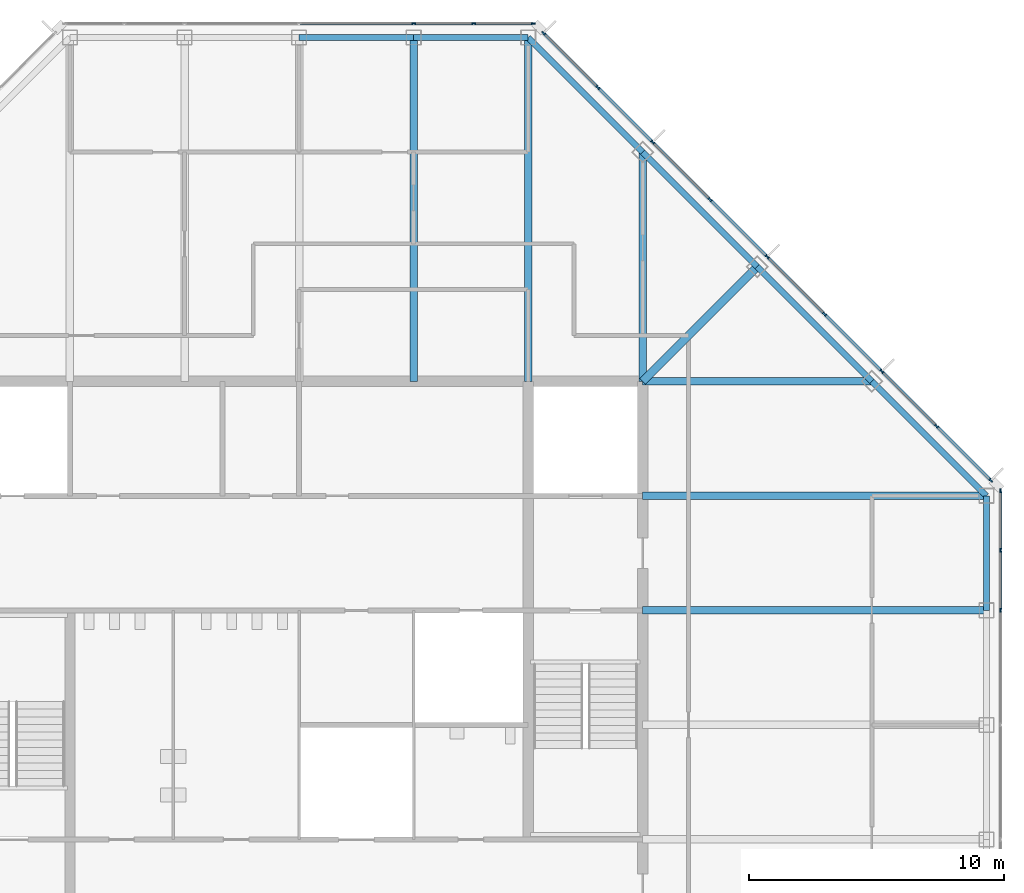
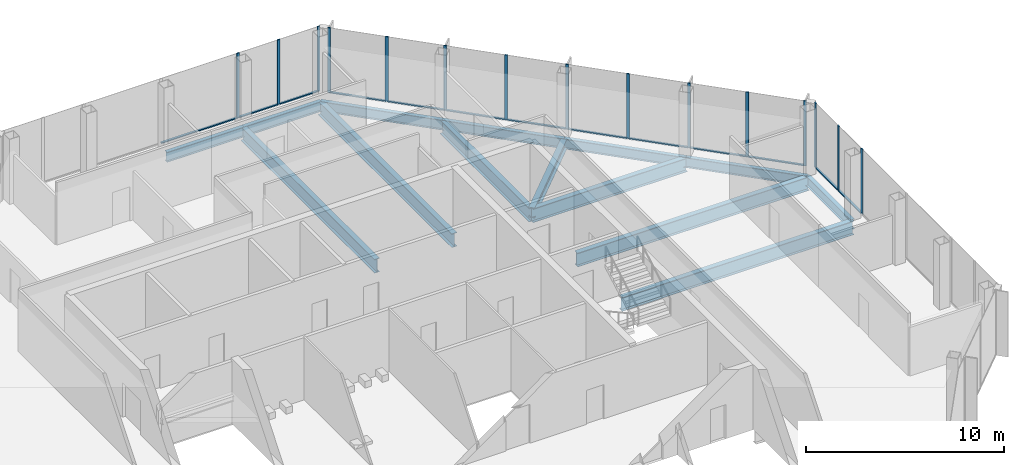
# One storey, part 7 of 14: 28 members, 14 beams, 3 elements without a shape of their own.
"""IFC4 building model written with IfcOpenShell, lengths in metres."""

from ifc_helpers import new_model, si_unit, direction, frame, origin, origin_2d, place, context, subcontext, project, spatial, rectangle, i_section, extrude, material, material_profile, profile_set, type_object, element, aggregate, save


model = new_model("IFC4")

# Units and contexts
model_context = context("Model", 3, precision=1e-05, world=origin(), true_north=direction((0.0, 1.0)))
body_context = subcontext(model_context, "Body", "Model", "MODEL_VIEW")
ifc_project = project(units=[si_unit("LENGTHUNIT", "METRE"), si_unit("AREAUNIT", "SQUARE_METRE"), si_unit("VOLUMEUNIT", "CUBIC_METRE"), si_unit("PLANEANGLEUNIT", "RADIAN"), si_unit("MASSUNIT", "GRAM", prefix="KILO")], contexts=[model_context])

# Site, building, storey
site_placement = place(None, origin())
site = spatial("IfcSite", under=ifc_project, at=site_placement, CompositionType="ELEMENT")
building_placement = place(site_placement, origin())
building = spatial("IfcBuilding", under=site, at=building_placement, Name="Corais Broadcast Tower", CompositionType="ELEMENT")
storey_placement = place(building_placement, frame((0.0, 0.0, 262.60009765625)))
storey = spatial("IfcBuildingStorey", under=building, at=storey_placement, Name="L61", CompositionType="ELEMENT", Elevation=262.60009765625)

# Beams
ifc_material_1 = material(Name="Steel ASTM A572 Grade 50", Category="steel")
ifc_material_profile_1 = material_profile(ifc_material_1, i_section(OverallWidth=0.323974609375, OverallDepth=0.611083984375, WebThickness=0.0126953125, FlangeThickness=0.01904296875, at=origin_2d()), Name="W610x155")
ifc_profile_set_1 = profile_set([ifc_material_profile_1], Name="Steel ASTM A572 Grade 50")
beam_type_1 = type_object("IfcBeamType", Name="Corner diagonal W610x155", PredefinedType="BEAM", material=ifc_profile_set_1)
beam_1_placement = place(storey_placement, frame((45.0, 45.0, -0.465576171875), z_axis=(-0.707106781187, -0.707106781187, 0.0), x_axis=(0.707106781187, -0.707106781187, 0.0)))
element("IfcBeam", 1, at=beam_1_placement, inside=storey, type_object=beam_type_1, Name="B6 L/13 to K/12", PredefinedType="BEAM", context=body_context, shape_type="SweptSolid", body=[
    extrude(i_section(OverallWidth=0.323974609375, OverallDepth=0.611083984375, WebThickness=0.0126953125, FlangeThickness=0.01904296875, at=origin_2d()), origin(), (0.0, 0.0, 1.0), 6.364013671875),
])
ifc_material_2 = material(Name="Steel ASTM A572 Grade 50", Category="steel")
ifc_material_profile_2 = material_profile(ifc_material_2, i_section(OverallWidth=0.2939453125, OverallDepth=0.85107421875, WebThickness=0.01611328125, FlangeThickness=0.02685546875, at=origin_2d()), Name="W840x226")
ifc_profile_set_2 = profile_set([ifc_material_profile_2], Name="Steel ASTM A572 Grade 50")
beam_type_2 = type_object("IfcBeamType", Name="Floor beam W840x226", PredefinedType="BEAM", material=ifc_profile_set_2)
for number, where, z_axis, x_axis, name in (
    (2, (31.5, 54.0, -0.585693359375), (0.0, -1.0, 0.0), (1.0, 0.0, 0.0), "B1 N/10 to K/10"),
    (3, (36.0, 54.0, -0.585693359375), (0.0, -1.0, 0.0), (1.0, 0.0, 0.0), "B1 N/11 to K/11"),
):
    element("IfcBeam", number, at=place(storey_placement, frame(where, z_axis=z_axis, x_axis=x_axis)), inside=storey, type_object=beam_type_2, Name=name, PredefinedType="BEAM", context=body_context, shape_type="SweptSolid", body=[
        extrude(i_section(OverallWidth=0.2939453125, OverallDepth=0.85107421875, WebThickness=0.01611328125, FlangeThickness=0.02685546875, at=origin_2d()), origin(), (0.0, 0.0, 1.0), 13.5),
    ])
for number, where, z_axis, x_axis, name in (
    (4, (40.5, 49.5, -0.585693359375), (0.0, -1.0, 0.0), (1.0, 0.0, 0.0), "B1 M/12 to K/12"),
    (5, (49.5, 40.5, -0.585693359375), (-1.0, 0.0, 0.0), (0.0, -1.0, 0.0), "B1 K/14 to K/12"),
):
    element("IfcBeam", number, at=place(storey_placement, frame(where, z_axis=z_axis, x_axis=x_axis)), inside=storey, type_object=beam_type_2, Name=name, PredefinedType="BEAM", context=body_context, shape_type="SweptSolid", body=[
        extrude(i_section(OverallWidth=0.2939453125, OverallDepth=0.85107421875, WebThickness=0.01611328125, FlangeThickness=0.02685546875, at=origin_2d()), origin(), (0.0, 0.0, 1.0), 9.0),
    ])
for number, where, z_axis, x_axis, name in (
    (6, (54.0, 31.5, -0.585693359375), (-1.0, 0.0, 0.0), (0.0, -1.0, 0.0), "B1 H/15 to H/12"),
    (7, (54.0, 36.0, -0.585693359375), (-1.0, 0.0, 0.0), (0.0, -1.0, 0.0), "B1 J/15 to J/12"),
):
    element("IfcBeam", number, at=place(storey_placement, frame(where, z_axis=z_axis, x_axis=x_axis)), inside=storey, type_object=beam_type_2, Name=name, PredefinedType="BEAM", context=body_context, shape_type="SweptSolid", body=[
        extrude(i_section(OverallWidth=0.2939453125, OverallDepth=0.85107421875, WebThickness=0.01611328125, FlangeThickness=0.02685546875, at=origin_2d()), origin(), (0.0, 0.0, 1.0), 13.5),
    ])

# Curtain wall, members
ifc_material_3 = material(Name="Aluminium and glass", Category="aluminium")
curtain_wall_type = type_object("IfcCurtainWallType", Name="Unitised fritted curtain wall CW3", PredefinedType="NOTDEFINED", material=ifc_material_3)
curtain_wall_1_placement = place(storey_placement, origin())
curtain_wall_1 = element("IfcCurtainWall", 8, at=curtain_wall_1_placement, inside=storey, type_object=curtain_wall_type, Name="CW3 curtain wall L61 4", PredefinedType="NOTDEFINED")
ifc_material_4 = material(Name="Aluminium 6063-T6", Category="aluminium")
ifc_material_profile_3 = material_profile(ifc_material_4, rectangle(XDim=0.06494140625, YDim=0.159912109375, at=origin_2d()), Name="Mullion CW3 65x160")
ifc_profile_set_3 = profile_set([ifc_material_profile_3], Name="Aluminium 6063-T6")
member_type_1 = type_object("IfcMemberType", Name="Mullion CW3 65x160", PredefinedType="MULLION", material=ifc_profile_set_3)
member_1_placement = place(storey_placement, frame((31.5, 54.550048828125, 0.0), z_axis=(0.0, 0.0, 1.0), x_axis=(0.0, 1.0, 0.0)))
member_1 = element("IfcMember", 9, at=member_1_placement, type_object=member_type_1, Name="CW3 mullion 5", PredefinedType="MULLION", context=body_context, shape_type="SweptSolid", body=[
    extrude(rectangle(XDim=0.06494140625, YDim=0.159912109375, at=origin_2d()), origin(), (0.0, 0.0, 1.0), 4.0),
])
member_2_placement = place(storey_placement, frame((33.864013671875, 54.550048828125, 0.0), z_axis=(0.0, 0.0, 1.0), x_axis=(0.0, 1.0, 0.0)))
member_2 = element("IfcMember", 10, at=member_2_placement, type_object=member_type_1, Name="CW3 mullion 6", PredefinedType="MULLION", context=body_context, shape_type="SweptSolid", body=[
    extrude(rectangle(XDim=0.06494140625, YDim=0.159912109375, at=origin_2d()), origin(), (0.0, 0.0, 1.0), 4.0),
])
member_3_placement = place(storey_placement, frame((36.1953125, 54.550048828125, 0.0), z_axis=(0.0, 0.0, 1.0), x_axis=(0.0, 1.0, 0.0)))
member_3 = element("IfcMember", 11, at=member_3_placement, type_object=member_type_1, Name="CW3 mullion 7", PredefinedType="MULLION", context=body_context, shape_type="SweptSolid", body=[
    extrude(rectangle(XDim=0.06494140625, YDim=0.159912109375, at=origin_2d()), origin(), (0.0, 0.0, 1.0), 4.0),
])

curtain_wall_2_placement = place(storey_placement, origin())
curtain_wall_2 = element("IfcCurtainWall", 12, at=curtain_wall_2_placement, inside=storey, type_object=curtain_wall_type, Name="CW3 curtain wall L61 5", PredefinedType="NOTDEFINED")
member_4_placement = place(storey_placement, frame((36.6044921875, 54.17333984375, 0.0), z_axis=(0.0, 0.0, 1.0), x_axis=(0.707106781187, 0.707106781187, 0.0)))
member_4 = element("IfcMember", 13, at=member_4_placement, type_object=member_type_1, Name="CW3 mullion 1", PredefinedType="MULLION", context=body_context, shape_type="SweptSolid", body=[
    extrude(rectangle(XDim=0.06494140625, YDim=0.159912109375, at=origin_2d()), origin(), (0.0, 0.0, 1.0), 4.0),
])
member_5_placement = place(storey_placement, frame((38.735107421875, 52.042724609375, 0.0), z_axis=(0.0, 0.0, 1.0), x_axis=(0.707106781187, 0.707106781187, 0.0)))
member_5 = element("IfcMember", 14, at=member_5_placement, type_object=member_type_1, Name="CW3 mullion 2", PredefinedType="MULLION", context=body_context, shape_type="SweptSolid", body=[
    extrude(rectangle(XDim=0.06494140625, YDim=0.159912109375, at=origin_2d()), origin(), (0.0, 0.0, 1.0), 4.0),
])
member_6_placement = place(storey_placement, frame((40.888916015625, 49.888916015625, 0.0), z_axis=(0.0, 0.0, 1.0), x_axis=(0.707106781187, 0.707106781187, 0.0)))
member_6 = element("IfcMember", 15, at=member_6_placement, type_object=member_type_1, Name="CW3 mullion 3", PredefinedType="MULLION", context=body_context, shape_type="SweptSolid", body=[
    extrude(rectangle(XDim=0.06494140625, YDim=0.159912109375, at=origin_2d()), origin(), (0.0, 0.0, 1.0), 4.0),
])
member_7_placement = place(storey_placement, frame((43.138916015625, 47.638916015625, 0.0), z_axis=(0.0, 0.0, 1.0), x_axis=(0.707106781187, 0.707106781187, 0.0)))
member_7 = element("IfcMember", 16, at=member_7_placement, type_object=member_type_1, Name="CW3 mullion 4", PredefinedType="MULLION", context=body_context, shape_type="SweptSolid", body=[
    extrude(rectangle(XDim=0.06494140625, YDim=0.159912109375, at=origin_2d()), origin(), (0.0, 0.0, 1.0), 4.0),
])
member_8_placement = place(storey_placement, frame((45.388916015625, 45.388916015625, 0.0), z_axis=(0.0, 0.0, 1.0), x_axis=(0.707106781187, 0.707106781187, 0.0)))
member_8 = element("IfcMember", 17, at=member_8_placement, type_object=member_type_1, Name="CW3 mullion 5", PredefinedType="MULLION", context=body_context, shape_type="SweptSolid", body=[
    extrude(rectangle(XDim=0.06494140625, YDim=0.159912109375, at=origin_2d()), origin(), (0.0, 0.0, 1.0), 4.0),
])
member_9_placement = place(storey_placement, frame((47.638916015625, 43.138916015625, 0.0), z_axis=(0.0, 0.0, 1.0), x_axis=(0.707106781187, 0.707106781187, 0.0)))
member_9 = element("IfcMember", 18, at=member_9_placement, type_object=member_type_1, Name="CW3 mullion 6", PredefinedType="MULLION", context=body_context, shape_type="SweptSolid", body=[
    extrude(rectangle(XDim=0.06494140625, YDim=0.159912109375, at=origin_2d()), origin(), (0.0, 0.0, 1.0), 4.0),
])
member_10_placement = place(storey_placement, frame((49.888916015625, 40.888916015625, 0.0), z_axis=(0.0, 0.0, 1.0), x_axis=(0.707106781187, 0.707106781187, 0.0)))
member_10 = element("IfcMember", 19, at=member_10_placement, type_object=member_type_1, Name="CW3 mullion 7", PredefinedType="MULLION", context=body_context, shape_type="SweptSolid", body=[
    extrude(rectangle(XDim=0.06494140625, YDim=0.159912109375, at=origin_2d()), origin(), (0.0, 0.0, 1.0), 4.0),
])
member_11_placement = place(storey_placement, frame((52.042724609375, 38.735107421875, 0.0), z_axis=(0.0, 0.0, 1.0), x_axis=(0.707106781187, 0.707106781187, 0.0)))
member_11 = element("IfcMember", 20, at=member_11_placement, type_object=member_type_1, Name="CW3 mullion 8", PredefinedType="MULLION", context=body_context, shape_type="SweptSolid", body=[
    extrude(rectangle(XDim=0.06494140625, YDim=0.159912109375, at=origin_2d()), origin(), (0.0, 0.0, 1.0), 4.0),
])
member_12_placement = place(storey_placement, frame((54.17333984375, 36.6044921875, 0.0), z_axis=(0.0, 0.0, 1.0), x_axis=(0.707106781187, 0.707106781187, 0.0)))
member_12 = element("IfcMember", 21, at=member_12_placement, type_object=member_type_1, Name="CW3 mullion 9", PredefinedType="MULLION", context=body_context, shape_type="SweptSolid", body=[
    extrude(rectangle(XDim=0.06494140625, YDim=0.159912109375, at=origin_2d()), origin(), (0.0, 0.0, 1.0), 4.0),
])

curtain_wall_3_placement = place(storey_placement, origin())
curtain_wall_3 = element("IfcCurtainWall", 22, at=curtain_wall_3_placement, inside=storey, type_object=curtain_wall_type, Name="CW3 curtain wall L61 6", PredefinedType="NOTDEFINED")
member_13_placement = place(storey_placement, frame((54.550048828125, 36.1953125, 0.0), z_axis=(0.0, 0.0, 1.0), x_axis=(1.0, 0.0, 0.0)))
member_13 = element("IfcMember", 23, at=member_13_placement, type_object=member_type_1, Name="CW3 mullion 1", PredefinedType="MULLION", context=body_context, shape_type="SweptSolid", body=[
    extrude(rectangle(XDim=0.06494140625, YDim=0.159912109375, at=origin_2d()), origin(), (0.0, 0.0, 1.0), 4.0),
])
member_14_placement = place(storey_placement, frame((54.550048828125, 33.864013671875, 0.0), z_axis=(0.0, 0.0, 1.0), x_axis=(1.0, 0.0, 0.0)))
member_14 = element("IfcMember", 24, at=member_14_placement, type_object=member_type_1, Name="CW3 mullion 2", PredefinedType="MULLION", context=body_context, shape_type="SweptSolid", body=[
    extrude(rectangle(XDim=0.06494140625, YDim=0.159912109375, at=origin_2d()), origin(), (0.0, 0.0, 1.0), 4.0),
])
member_15_placement = place(storey_placement, frame((54.550048828125, 31.5, 0.0), z_axis=(0.0, 0.0, 1.0), x_axis=(1.0, 0.0, 0.0)))
member_15 = element("IfcMember", 25, at=member_15_placement, type_object=member_type_1, Name="CW3 mullion 3", PredefinedType="MULLION", context=body_context, shape_type="SweptSolid", body=[
    extrude(rectangle(XDim=0.06494140625, YDim=0.159912109375, at=origin_2d()), origin(), (0.0, 0.0, 1.0), 4.0),
])

# Beams
ifc_material_5 = material(Name="Steel ASTM A572 Grade 50", Category="steel")
ifc_material_profile_4 = material_profile(ifc_material_5, i_section(OverallWidth=0.22998046875, OverallDepth=0.616943359375, WebThickness=0.01318359375, FlangeThickness=0.022216796875, at=origin_2d()), Name="W610x140")
ifc_profile_set_4 = profile_set([ifc_material_profile_4], Name="Steel ASTM A572 Grade 50")
beam_type_3 = type_object("IfcBeamType", Name="Spandrel W610x140", PredefinedType="BEAM", material=ifc_profile_set_4)
for number, where, z_axis, x_axis, name in (
    (26, (31.5, 54.0, -0.468505859375), (-1.0, 0.0, 0.0), (0.0, -1.0, 0.0), "SB3 N/10 to N/9"),
    (27, (36.0, 54.0, -0.468505859375), (-1.0, 0.0, 0.0), (0.0, -1.0, 0.0), "SB3 N/11 to N/10"),
):
    element("IfcBeam", number, at=place(storey_placement, frame(where, z_axis=z_axis, x_axis=x_axis)), inside=storey, type_object=beam_type_3, Name=name, PredefinedType="BEAM", context=body_context, shape_type="SweptSolid", body=[
        extrude(i_section(OverallWidth=0.22998046875, OverallDepth=0.616943359375, WebThickness=0.01318359375, FlangeThickness=0.022216796875, at=origin_2d()), origin(), (0.0, 0.0, 1.0), 4.5),
    ])
for number, where, z_axis, x_axis, name in (
    (28, (40.5, 49.5, -0.468505859375), (-0.707106781187, 0.707106781187, 0.0), (-0.707106781187, -0.707106781187, 0.0), "SB3 M/12 to N/11"),
    (29, (45.0, 45.0, -0.468505859375), (-0.707106781187, 0.707106781187, 0.0), (-0.707106781187, -0.707106781187, 0.0), "SB3 L/13 to M/12"),
    (30, (49.5, 40.5, -0.468505859375), (-0.707106781187, 0.707106781187, 0.0), (-0.707106781187, -0.707106781187, 0.0), "SB3 K/14 to L/13"),
):
    element("IfcBeam", number, at=place(storey_placement, frame(where, z_axis=z_axis, x_axis=x_axis)), inside=storey, type_object=beam_type_3, Name=name, PredefinedType="BEAM", context=body_context, shape_type="SweptSolid", body=[
        extrude(i_section(OverallWidth=0.22998046875, OverallDepth=0.616943359375, WebThickness=0.01318359375, FlangeThickness=0.022216796875, at=origin_2d()), origin(), (0.0, 0.0, 1.0), 6.364013671875),
    ])
beam_2_placement = place(storey_placement, frame((54.0, 31.5, -0.468505859375), z_axis=(0.0, 1.0, 0.0), x_axis=(-1.0, 0.0, 0.0)))
element("IfcBeam", 31, at=beam_2_placement, inside=storey, type_object=beam_type_3, Name="SB3 H/15 to J/15", PredefinedType="BEAM", context=body_context, shape_type="SweptSolid", body=[
    extrude(i_section(OverallWidth=0.22998046875, OverallDepth=0.616943359375, WebThickness=0.01318359375, FlangeThickness=0.022216796875, at=origin_2d()), origin(), (0.0, 0.0, 1.0), 4.5),
])
beam_3_placement = place(storey_placement, frame((54.0, 36.0, -0.468505859375), z_axis=(-0.707106781187, 0.707106781187, 0.0), x_axis=(-0.707106781187, -0.707106781187, 0.0)))
element("IfcBeam", 32, at=beam_3_placement, inside=storey, type_object=beam_type_3, Name="SB3 J/15 to K/14", PredefinedType="BEAM", context=body_context, shape_type="SweptSolid", body=[
    extrude(i_section(OverallWidth=0.22998046875, OverallDepth=0.616943359375, WebThickness=0.01318359375, FlangeThickness=0.022216796875, at=origin_2d()), origin(), (0.0, 0.0, 1.0), 6.364013671875),
])

# Member
ifc_material_6 = material(Name="Aluminium 6063-T6", Category="aluminium")
ifc_material_profile_5 = material_profile(ifc_material_6, rectangle(XDim=0.1201171875, YDim=0.06494140625, at=origin_2d()), Name="Transom CW3 65x120")
ifc_profile_set_5 = profile_set([ifc_material_profile_5], Name="Aluminium 6063-T6")
member_type_2 = type_object("IfcMemberType", Name="Transom CW3 65x120", PredefinedType="USERDEFINED", material=ifc_profile_set_5)
member_16_placement = place(storey_placement, frame((27.032470703125, 54.550048828125, 0.032470703125), z_axis=(1.0, 0.0, 0.0), x_axis=(0.0, 1.0, 0.0)))
member_16 = element("IfcMember", 33, at=member_16_placement, type_object=member_type_2, Name="CW3 transom 4.1", ObjectType="TRANSOM", PredefinedType="USERDEFINED", context=body_context, shape_type="SweptSolid", body=[
    extrude(rectangle(XDim=0.1201171875, YDim=0.06494140625, at=origin_2d()), origin(), (0.0, 0.0, 1.0), 4.43505859375),
])

member_17_placement = place(storey_placement, frame((31.532470703125, 54.550048828125, 0.032470703125), z_axis=(1.0, 0.0, 0.0), x_axis=(0.0, 1.0, 0.0)))
member_17 = element("IfcMember", 34, at=member_17_placement, type_object=member_type_2, Name="CW3 transom 5.1", ObjectType="TRANSOM", PredefinedType="USERDEFINED", context=body_context, shape_type="SweptSolid", body=[
    extrude(rectangle(XDim=0.1201171875, YDim=0.06494140625, at=origin_2d()), origin(), (0.0, 0.0, 1.0), 2.298828125),
])

member_18_placement = place(storey_placement, frame((33.896484375, 54.550048828125, 0.032470703125), z_axis=(1.0, 0.0, 0.0), x_axis=(0.0, 1.0, 0.0)))
member_18 = element("IfcMember", 35, at=member_18_placement, type_object=member_type_2, Name="CW3 transom 6.1", ObjectType="TRANSOM", PredefinedType="USERDEFINED", context=body_context, shape_type="SweptSolid", body=[
    extrude(rectangle(XDim=0.1201171875, YDim=0.06494140625, at=origin_2d()), origin(), (0.0, 0.0, 1.0), 2.266357421875),
])

aggregate(curtain_wall_1, [member_1, member_2, member_3, member_16, member_17, member_18])

member_19_placement = place(storey_placement, frame((36.62744140625, 54.150390625, 0.032470703125), z_axis=(0.707106781187, -0.707106781187, 0.0), x_axis=(0.707106781187, 0.707106781187, 0.0)))
member_19 = element("IfcMember", 36, at=member_19_placement, type_object=member_type_2, Name="CW3 transom 1.1", ObjectType="TRANSOM", PredefinedType="USERDEFINED", context=body_context, shape_type="SweptSolid", body=[
    extrude(rectangle(XDim=0.1201171875, YDim=0.06494140625, at=origin_2d()), origin(), (0.0, 0.0, 1.0), 2.9482421875),
])

member_20_placement = place(storey_placement, frame((38.758056640625, 52.019775390625, 0.032470703125), z_axis=(0.707106781187, -0.707106781187, 0.0), x_axis=(0.707106781187, 0.707106781187, 0.0)))
member_20 = element("IfcMember", 37, at=member_20_placement, type_object=member_type_2, Name="CW3 transom 2.1", ObjectType="TRANSOM", PredefinedType="USERDEFINED", context=body_context, shape_type="SweptSolid", body=[
    extrude(rectangle(XDim=0.1201171875, YDim=0.06494140625, at=origin_2d()), origin(), (0.0, 0.0, 1.0), 2.98095703125),
])

member_21_placement = place(storey_placement, frame((40.911865234375, 49.865966796875, 0.032470703125), z_axis=(0.707106781187, -0.707106781187, 0.0), x_axis=(0.707106781187, 0.707106781187, 0.0)))
member_21 = element("IfcMember", 38, at=member_21_placement, type_object=member_type_2, Name="CW3 transom 3.1", ObjectType="TRANSOM", PredefinedType="USERDEFINED", context=body_context, shape_type="SweptSolid", body=[
    extrude(rectangle(XDim=0.1201171875, YDim=0.06494140625, at=origin_2d()), origin(), (0.0, 0.0, 1.0), 3.1171875),
])

member_22_placement = place(storey_placement, frame((43.161865234375, 47.615966796875, 0.032470703125), z_axis=(0.707106781187, -0.707106781187, 0.0), x_axis=(0.707106781187, 0.707106781187, 0.0)))
member_22 = element("IfcMember", 39, at=member_22_placement, type_object=member_type_2, Name="CW3 transom 4.1", ObjectType="TRANSOM", PredefinedType="USERDEFINED", context=body_context, shape_type="SweptSolid", body=[
    extrude(rectangle(XDim=0.1201171875, YDim=0.06494140625, at=origin_2d()), origin(), (0.0, 0.0, 1.0), 3.1171875),
])

member_23_placement = place(storey_placement, frame((45.411865234375, 45.365966796875, 0.032470703125), z_axis=(0.707106781187, -0.707106781187, 0.0), x_axis=(0.707106781187, 0.707106781187, 0.0)))
member_23 = element("IfcMember", 40, at=member_23_placement, type_object=member_type_2, Name="CW3 transom 5.1", ObjectType="TRANSOM", PredefinedType="USERDEFINED", context=body_context, shape_type="SweptSolid", body=[
    extrude(rectangle(XDim=0.1201171875, YDim=0.06494140625, at=origin_2d()), origin(), (0.0, 0.0, 1.0), 3.1171875),
])

member_24_placement = place(storey_placement, frame((47.661865234375, 43.115966796875, 0.032470703125), z_axis=(0.707106781187, -0.707106781187, 0.0), x_axis=(0.707106781187, 0.707106781187, 0.0)))
member_24 = element("IfcMember", 41, at=member_24_placement, type_object=member_type_2, Name="CW3 transom 6.1", ObjectType="TRANSOM", PredefinedType="USERDEFINED", context=body_context, shape_type="SweptSolid", body=[
    extrude(rectangle(XDim=0.1201171875, YDim=0.06494140625, at=origin_2d()), origin(), (0.0, 0.0, 1.0), 3.1171875),
])

member_25_placement = place(storey_placement, frame((49.911865234375, 40.865966796875, 0.032470703125), z_axis=(0.707065828661, -0.70714773134, 0.0), x_axis=(0.70714773134, 0.707065828661, 0.0)))
member_25 = element("IfcMember", 42, at=member_25_placement, type_object=member_type_2, Name="CW3 transom 7.1", ObjectType="TRANSOM", PredefinedType="USERDEFINED", context=body_context, shape_type="SweptSolid", body=[
    extrude(rectangle(XDim=0.1201171875, YDim=0.06494140625, at=origin_2d()), origin(), (0.0, 0.0, 1.0), 2.98095703125),
])

member_26_placement = place(storey_placement, frame((52.065673828125, 38.712158203125, 0.032470703125), z_axis=(0.707106781187, -0.707106781187, 0.0), x_axis=(0.707106781187, 0.707106781187, 0.0)))
member_26 = element("IfcMember", 43, at=member_26_placement, type_object=member_type_2, Name="CW3 transom 8.1", ObjectType="TRANSOM", PredefinedType="USERDEFINED", context=body_context, shape_type="SweptSolid", body=[
    extrude(rectangle(XDim=0.1201171875, YDim=0.06494140625, at=origin_2d()), origin(), (0.0, 0.0, 1.0), 2.9482421875),
])

aggregate(curtain_wall_2, [member_4, member_5, member_6, member_7, member_8, member_9, member_10, member_11, member_12, member_19, member_20, member_21, member_22, member_23, member_24, member_25, member_26])

member_27_placement = place(storey_placement, frame((54.550048828125, 36.162841796875, 0.032470703125), z_axis=(0.0, -1.0, 0.0), x_axis=(1.0, 0.0, 0.0)))
member_27 = element("IfcMember", 44, at=member_27_placement, type_object=member_type_2, Name="CW3 transom 1.1", ObjectType="TRANSOM", PredefinedType="USERDEFINED", context=body_context, shape_type="SweptSolid", body=[
    extrude(rectangle(XDim=0.1201171875, YDim=0.06494140625, at=origin_2d()), origin(), (0.0, 0.0, 1.0), 2.266357421875),
])

member_28_placement = place(storey_placement, frame((54.550048828125, 33.831298828125, 0.032470703125), z_axis=(0.0, -1.0, 0.0), x_axis=(1.0, 0.0, 0.0)))
member_28 = element("IfcMember", 45, at=member_28_placement, type_object=member_type_2, Name="CW3 transom 2.1", ObjectType="TRANSOM", PredefinedType="USERDEFINED", context=body_context, shape_type="SweptSolid", body=[
    extrude(rectangle(XDim=0.1201171875, YDim=0.06494140625, at=origin_2d()), origin(), (0.0, 0.0, 1.0), 2.298828125),
])

aggregate(curtain_wall_3, [member_13, member_14, member_15, member_27, member_28])

save(model, "model.ifc")
